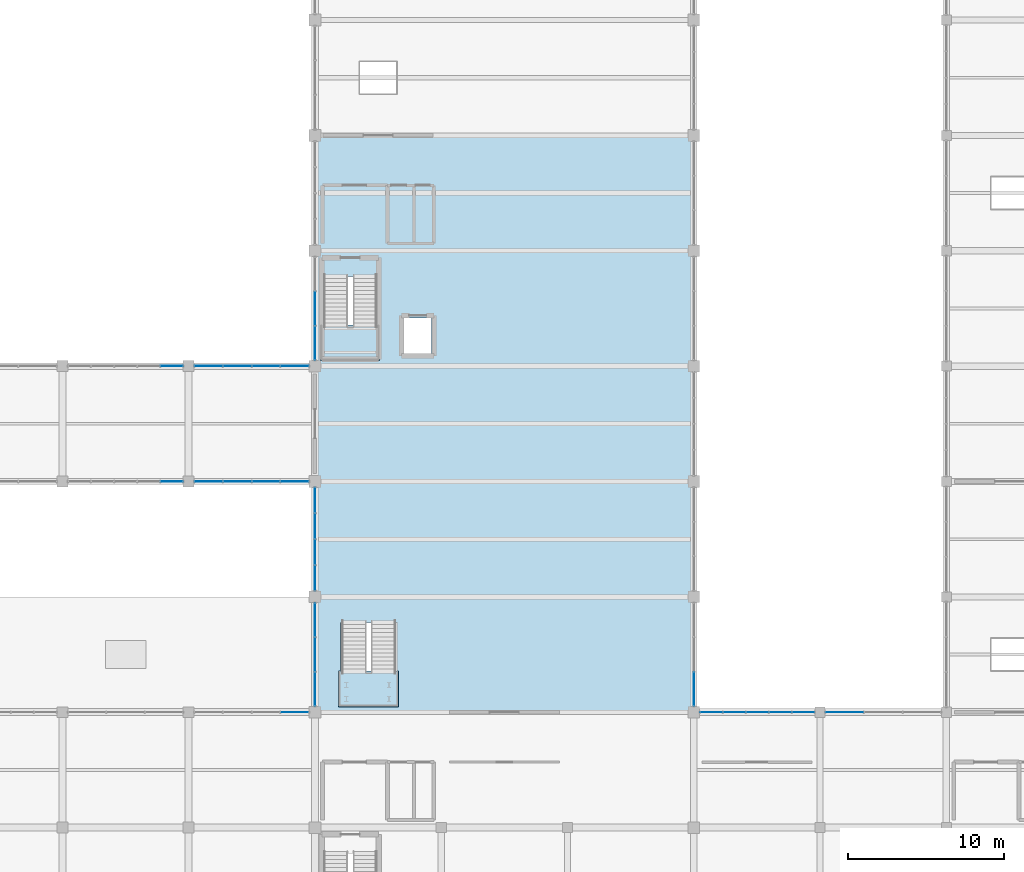
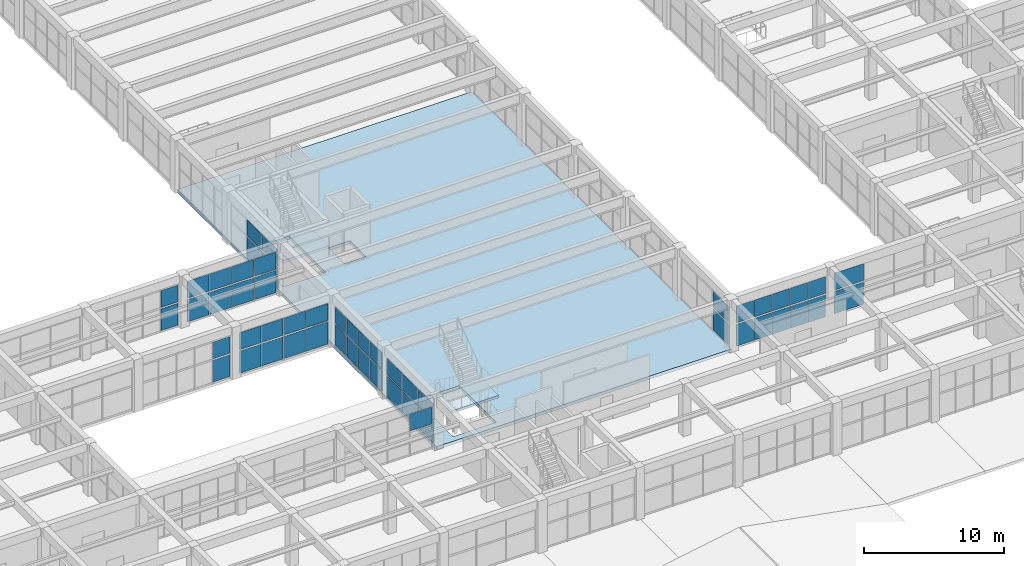
# One storey, part 134 of 161: 53 plates, 3 slabs, 13 elements without a shape of their own.
"""IFC4 building model written with IfcOpenShell, lengths in metres."""

import ifcopenshell
import ifcopenshell.guid

model = None  # the IFC model being written
_history = None  # IfcOwnerHistory: only IFC2X3 demands one
_inside = {}  # id of a spatial element -> (the spatial element, [elements in it])
_under = {}  # id of a project, library or spatial element -> (it, [spatial elements below it])
_declared = {}  # id of a project -> (the project, [libraries it declares])
_typed = {}  # id of a type object -> (the type object, [elements of that type])
_made_of = {}  # id of a material, layer set ... -> (it, [elements and type objects made of it])


def new_model(schema):
    """Start an empty IFC model of exactly this schema.

    Asked for "IFC4X3", IfcOpenShell would pick the latest addendum, in which some entities
    have other attributes; the version numbers below select the first issue.
    IFC2X3 requires an IfcOwnerHistory on every rooted entity: one is made here for all.
    """
    global model, _history
    if schema == "IFC4X3":
        model = ifcopenshell.file(schema_version=(4, 3, 0, 0))
    else:
        model = ifcopenshell.file(schema=schema)
    _inside.clear()
    _under.clear()
    _declared.clear()
    _typed.clear()
    _made_of.clear()
    _history = None
    if model.schema == "IFC2X3":
        org = make("IfcOrganization", Name="unknown")
        user = make(
            "IfcPersonAndOrganization",
            ThePerson=make("IfcPerson", FamilyName="unknown"),
            TheOrganization=org,
        )
        app = make(
            "IfcApplication",
            ApplicationDeveloper=org,
            Version="unknown",
            ApplicationFullName="unknown",
            ApplicationIdentifier="unknown",
        )
        _history = make(
            "IfcOwnerHistory",
            OwningUser=user,
            OwningApplication=app,
            ChangeAction="ADDED",
            CreationDate=0,
        )
    return model


def make(cls, **values):
    """One entity of the class cls with the attributes given. An attribute that is None is left unset."""
    return model.create_entity(
        cls, **{name: value for name, value in values.items() if value is not None}
    )


def rooted(cls, **values):
    """An entity with a GlobalId (a new one), such as an element, a storey or a relation."""
    return make(cls, GlobalId=ifcopenshell.guid.new(), OwnerHistory=_history, **values)


def si_unit(unit_type, name, prefix=None):
    """IfcSIUnit, for example si_unit("LENGTHUNIT", "METRE", prefix="MILLI")."""
    return make("IfcSIUnit", UnitType=unit_type, Prefix=prefix, Name=name)


def assignment(units):
    """IfcUnitAssignment: the units of a project."""
    return None if units is None else make("IfcUnitAssignment", Units=units)


def point(xyz):
    """IfcCartesianPoint."""
    return None if xyz is None else make("IfcCartesianPoint", Coordinates=xyz)


def direction(xyz):
    """IfcDirection."""
    return None if xyz is None else make("IfcDirection", DirectionRatios=xyz)


def frame(location, z_axis=None, x_axis=None):
    """IfcAxis2Placement3D, a coordinate frame: its origin and axes. An axis left out is left unset."""
    return make(
        "IfcAxis2Placement3D",
        Location=point(location),
        Axis=direction(z_axis),
        RefDirection=direction(x_axis),
    )


def frame_2d(location, x_axis=None):
    """IfcAxis2Placement2D, a coordinate frame in the plane: its origin and x axis."""
    return make(
        "IfcAxis2Placement2D", Location=point(location), RefDirection=direction(x_axis)
    )


def origin():
    """The frame at (0, 0, 0) with its axes left unset."""
    return frame((0.0, 0.0, 0.0))


def origin_2d():
    """The frame at (0, 0) in the plane with its x axis left unset."""
    return frame_2d((0.0, 0.0))


def place(relative_to, where):
    """IfcLocalPlacement: puts the frame where relative to a parent placement (None: the world)."""
    return make(
        "IfcLocalPlacement", PlacementRelTo=relative_to, RelativePlacement=where
    )


def context(
    kind, dimensions, precision=None, world=None, true_north=None, identifier=None
):
    """IfcGeometricRepresentationContext, for example the 3D "Model" context."""
    return make(
        "IfcGeometricRepresentationContext",
        ContextIdentifier=identifier,
        ContextType=kind,
        CoordinateSpaceDimension=dimensions,
        Precision=precision,
        WorldCoordinateSystem=world,
        TrueNorth=true_north,
    )


def subcontext(parent, identifier, kind, view, scale=None):
    """IfcGeometricRepresentationSubContext, for example "Body" below "Model"."""
    return make(
        "IfcGeometricRepresentationSubContext",
        ContextIdentifier=identifier,
        ContextType=kind,
        ParentContext=parent,
        TargetScale=scale,
        TargetView=view,
    )


def project(units=None, contexts=None):
    """IfcProject with its units and contexts."""
    return rooted(
        "IfcProject",
        Name="project",
        RepresentationContexts=contexts,
        UnitsInContext=assignment(units),
    )


def spatial(cls, under=None, at=None, **own):
    """A site, building, storey or space (cls), placed at a placement, below another one or the project."""
    s = rooted(cls, ObjectPlacement=at, **own)
    if under is not None:
        _under.setdefault(under.id(), (under, []))[1].append(s)
    return s


def polyline(points):
    """IfcPolyline through the points."""
    return make("IfcPolyline", Points=[point(p) for p in points])


def profile(cls, at=None, kind="AREA", **sizes):
    """A parametric profile (cls). Its sizes go by their IFC names, for example OverallWidth=200.0."""
    return make(cls, ProfileType=kind, Position=at, **sizes)


def rectangle(**sizes):
    """IfcRectangleProfileDef."""
    return profile("IfcRectangleProfileDef", **sizes)


def outline(outer, holes=None, kind="AREA"):
    """IfcArbitraryClosedProfileDef: a profile drawn as a closed curve; with holes, ...WithVoids."""
    if holes is None:
        return make("IfcArbitraryClosedProfileDef", ProfileType=kind, OuterCurve=outer)
    return make(
        "IfcArbitraryProfileDefWithVoids",
        ProfileType=kind,
        OuterCurve=outer,
        InnerCurves=holes,
    )


def extrude(swept, where, along, depth):
    """IfcExtrudedAreaSolid: the profile swept, set in the frame where, extruded along a direction by depth."""
    return make(
        "IfcExtrudedAreaSolid",
        SweptArea=swept,
        Position=where,
        ExtrudedDirection=direction(along),
        Depth=depth,
    )


def shape(context_of_items, identifier, shape_type, items):
    """IfcShapeRepresentation: the items that make up one representation, for example the "Body"."""
    return make(
        "IfcShapeRepresentation",
        ContextOfItems=context_of_items,
        RepresentationIdentifier=identifier,
        RepresentationType=shape_type,
        Items=items,
    )


def material(Name=None, Category=None):
    """IfcMaterial."""
    return make("IfcMaterial", Name=Name, Category=Category)


def layer(
    of_material, thickness, ventilated=None, Name=None, Category=None, Priority=None
):
    """IfcMaterialLayer: one layer of a wall or slab, of a material (None: an air gap)."""
    return make(
        "IfcMaterialLayer",
        Material=of_material,
        LayerThickness=thickness,
        IsVentilated=ventilated,
        Name=Name,
        Category=Category,
        Priority=Priority,
    )


def layer_set(layers, Name=None):
    """IfcMaterialLayerSet."""
    return make("IfcMaterialLayerSet", MaterialLayers=layers, LayerSetName=Name)


def made_of(thing, what):
    """Note that an element or type object is made of a material, layer set ...; save() writes the relation."""
    if what is not None:
        _made_of.setdefault(what.id(), (what, []))[1].append(thing)
    return thing


def type_object(cls, material=None, **own):
    """A type object (cls), such as IfcWallType, which elements share."""
    return made_of(rooted(cls, **own), material)


def element(
    cls,
    number,
    at=None,
    inside=None,
    cuts=None,
    type_object=None,
    material=None,
    context=None,
    identifier="Body",
    shape_type=None,
    held_by="IfcProductDefinitionShape",
    body=None,
    shapes=None,
    **own,
):
    """One element of the class cls, such as IfcWall. Its Tag is "e" and its number.

    at: its placement. inside: the storey or other place that contains it. cuts: it is an
    opening in that element (IfcRelVoidsElement). A single representation is given by context,
    identifier, shape_type and body (its items); several are given by shapes. held_by: the class
    of the entity that holds the representations. save() writes the other relations.
    """
    e = rooted(cls, Tag="e%d" % number, ObjectPlacement=at, **own)
    if body is not None:
        shapes = [shape(context, identifier, shape_type, body)]
    if shapes is not None:
        e.Representation = make(held_by, Representations=shapes)
    if inside is not None:
        _inside.setdefault(inside.id(), (inside, []))[1].append(e)
    if cuts is not None:
        rooted(
            "IfcRelVoidsElement", RelatingBuildingElement=cuts, RelatedOpeningElement=e
        )
    if type_object is not None:
        _typed.setdefault(type_object.id(), (type_object, []))[1].append(e)
    return made_of(e, material)


def aggregate(whole, parts):
    """IfcRelAggregates: a whole, such as a stair, and the parts it consists of."""
    return rooted("IfcRelAggregates", RelatingObject=whole, RelatedObjects=parts)


def save(model, path):
    """Write the relations noted so far, then the file.

    IfcRelAggregates (storeys below a building ...), IfcRelContainedInSpatialStructure (elements
    in a storey), IfcRelDefinesByType, IfcRelAssociatesMaterial and IfcRelDeclares: one each for
    every whole, place, type object, material and project.
    """
    for whole, parts in _under.values():
        aggregate(whole, parts)
    for where, things in _inside.values():
        rooted(
            "IfcRelContainedInSpatialStructure",
            RelatedElements=things,
            RelatingStructure=where,
        )
    for kind, things in _typed.values():
        rooted("IfcRelDefinesByType", RelatedObjects=things, RelatingType=kind)
    for what, things in _made_of.values():
        rooted("IfcRelAssociatesMaterial", RelatedObjects=things, RelatingMaterial=what)
    for by, libraries in _declared.values():
        rooted("IfcRelDeclares", RelatingContext=by, RelatedDefinitions=libraries)
    model.write(path)


model = new_model("IFC4")

# Units and contexts
model_context = context("Model", 3, precision=1e-05, world=origin(), true_north=direction((0.0, 1.0)))
body_context = subcontext(model_context, "Body", "Model", "MODEL_VIEW")
ifc_project = project(units=[si_unit("LENGTHUNIT", "METRE"), si_unit("AREAUNIT", "SQUARE_METRE"), si_unit("VOLUMEUNIT", "CUBIC_METRE"), si_unit("PLANEANGLEUNIT", "RADIAN"), si_unit("MASSUNIT", "GRAM", prefix="KILO")], contexts=[model_context])

# Site, building, storey
site_placement = place(None, origin())
site = spatial("IfcSite", under=ifc_project, at=site_placement, CompositionType="ELEMENT")
building_placement = place(site_placement, origin())
building = spatial("IfcBuilding", under=site, at=building_placement, Name="Cimatlan Art Gallery", CompositionType="ELEMENT")
storey_placement = place(building_placement, frame((0.0, 0.0, 5.39990234375)))
storey = spatial("IfcBuildingStorey", under=building, at=storey_placement, Name="L01", CompositionType="ELEMENT", Elevation=5.39990234375)

# Curtain wall, plate
ifc_material_1 = material(Name="Anodised bronze unitised curtain wall")
curtain_wall_type_1 = type_object("IfcCurtainWallType", Name="CW-V-07392X03735-B5", PredefinedType="NOTDEFINED", material=ifc_material_1)
curtain_wall_1_placement = place(storey_placement, origin())
curtain_wall_1 = element("IfcCurtainWall", 1, at=curtain_wall_1_placement, inside=storey, type_object=curtain_wall_type_1, Name="CW-L01-07-07-S", PredefinedType="NOTDEFINED")
ifc_material_2 = material(Name="Low-E insulated double glazing", Category="glass")
ifc_layer_1 = layer(ifc_material_2, 0.028076171875)
ifc_layer_set_1 = layer_set([ifc_layer_1], Name="Low-E insulated double glazing")
plate_type_1 = type_object("IfcPlateType", Name="PNL-1420X1459", PredefinedType="CURTAIN_PANEL", material=ifc_layer_set_1)
plate_1_placement = place(storey_placement, frame((65.706787109375, 53.5, 2.15380859375), z_axis=(0.0, 0.0, 1.0), x_axis=(-1.0, 0.0, 0.0)))
plate_1 = element("IfcPlate", 2, at=plate_1_placement, type_object=plate_type_1, Name="CW-L01-07-07-S-P12", PredefinedType="CURTAIN_PANEL", context=body_context, shape_type="SweptSolid", body=[
    extrude(rectangle(XDim=1.419921875, YDim=0.028076171875, at=origin_2d()), origin(), (0.0, 0.0, 1.0), 1.458984375),
])

curtain_wall_2_placement = place(storey_placement, origin())
curtain_wall_2 = element("IfcCurtainWall", 3, at=curtain_wall_2_placement, inside=storey, type_object=curtain_wall_type_1, Name="CW-L01-07-07-N", PredefinedType="NOTDEFINED")
plate_2_placement = place(storey_placement, frame((65.706787109375, 60.89990234375, 2.15380859375), z_axis=(0.0, 0.0, 1.0), x_axis=(1.0, 0.0, 0.0)))
plate_2 = element("IfcPlate", 4, at=plate_2_placement, type_object=plate_type_1, Name="CW-L01-07-07-N-P52", PredefinedType="CURTAIN_PANEL", context=body_context, shape_type="SweptSolid", body=[
    extrude(rectangle(XDim=1.419921875, YDim=0.028076171875, at=origin_2d()), origin(), (0.0, 0.0, 1.0), 1.458984375),
])

# Curtain wall, plates
curtain_wall_3_placement = place(storey_placement, origin())
curtain_wall_3 = element("IfcCurtainWall", 5, at=curtain_wall_3_placement, inside=storey, type_object=curtain_wall_type_1, Name="CW-L01-12-04-N", PredefinedType="NOTDEFINED")
plate_3_placement = place(storey_placement, frame((100.318115234375, 38.699951171875, 2.15380859375), z_axis=(0.0, 0.0, 1.0), x_axis=(1.0, 0.0, 0.0)))
plate_3 = element("IfcPlate", 6, at=plate_3_placement, type_object=plate_type_1, Name="CW-L01-12-04-N-P12", PredefinedType="CURTAIN_PANEL", context=body_context, shape_type="SweptSolid", body=[
    extrude(rectangle(XDim=1.419921875, YDim=0.028076171875, at=origin_2d()), origin(), (0.0, 0.0, 1.0), 1.458984375),
])
plate_4_placement = place(storey_placement, frame((101.796630859375, 38.699951171875, 2.15380859375), z_axis=(0.0, 0.0, 1.0), x_axis=(1.0, 0.0, 0.0)))
plate_4 = element("IfcPlate", 7, at=plate_4_placement, type_object=plate_type_1, Name="CW-L01-12-04-N-P22", PredefinedType="CURTAIN_PANEL", context=body_context, shape_type="SweptSolid", body=[
    extrude(rectangle(XDim=1.419921875, YDim=0.028076171875, at=origin_2d()), origin(), (0.0, 0.0, 1.0), 1.458984375),
])
plate_5_placement = place(storey_placement, frame((103.27490234375, 38.699951171875, 2.15380859375), z_axis=(0.0, 0.0, 1.0), x_axis=(1.0, 0.0, 0.0)))
plate_5 = element("IfcPlate", 8, at=plate_5_placement, type_object=plate_type_1, Name="CW-L01-12-04-N-P32", PredefinedType="CURTAIN_PANEL", context=body_context, shape_type="SweptSolid", body=[
    extrude(rectangle(XDim=1.419921875, YDim=0.028076171875, at=origin_2d()), origin(), (0.0, 0.0, 1.0), 1.458984375),
])
plate_6_placement = place(storey_placement, frame((104.75341796875, 38.699951171875, 2.15380859375), z_axis=(0.0, 0.0, 1.0), x_axis=(1.0, 0.0, 0.0)))
plate_6 = element("IfcPlate", 9, at=plate_6_placement, type_object=plate_type_1, Name="CW-L01-12-04-N-P42", PredefinedType="CURTAIN_PANEL", context=body_context, shape_type="SweptSolid", body=[
    extrude(rectangle(XDim=1.419921875, YDim=0.028076171875, at=origin_2d()), origin(), (0.0, 0.0, 1.0), 1.458984375),
])
plate_7_placement = place(storey_placement, frame((106.231689453125, 38.699951171875, 2.15380859375), z_axis=(0.0, 0.0, 1.0), x_axis=(1.0, 0.0, 0.0)))
plate_7 = element("IfcPlate", 10, at=plate_7_placement, type_object=plate_type_1, Name="CW-L01-12-04-N-P52", PredefinedType="CURTAIN_PANEL", context=body_context, shape_type="SweptSolid", body=[
    extrude(rectangle(XDim=1.419921875, YDim=0.028076171875, at=origin_2d()), origin(), (0.0, 0.0, 1.0), 1.458984375),
])

# Plate
ifc_layer_2 = layer(ifc_material_2, 0.028076171875)
ifc_layer_set_2 = layer_set([ifc_layer_2], Name="Low-E insulated double glazing")
plate_type_2 = type_object("IfcPlateType", Name="PNL-1420X1908", PredefinedType="CURTAIN_PANEL", material=ifc_layer_set_2)
plate_8_placement = place(storey_placement, frame((65.706787109375, 53.5, 0.1220703125), z_axis=(0.0, 0.0, 1.0), x_axis=(-1.0, 0.0, 0.0)))
plate_8 = element("IfcPlate", 11, at=plate_8_placement, type_object=plate_type_2, Name="CW-L01-07-07-S-P11", PredefinedType="CURTAIN_PANEL", context=body_context, shape_type="SweptSolid", body=[
    extrude(rectangle(XDim=1.419921875, YDim=0.028076171875, at=origin_2d()), origin(), (0.0, 0.0, 1.0), 1.907958984375),
])

aggregate(curtain_wall_1, [plate_8, plate_1])

plate_9_placement = place(storey_placement, frame((65.706787109375, 60.89990234375, 0.1220703125), z_axis=(0.0, 0.0, 1.0), x_axis=(1.0, 0.0, 0.0)))
plate_9 = element("IfcPlate", 12, at=plate_9_placement, type_object=plate_type_2, Name="CW-L01-07-07-N-P51", PredefinedType="CURTAIN_PANEL", context=body_context, shape_type="SweptSolid", body=[
    extrude(rectangle(XDim=1.419921875, YDim=0.028076171875, at=origin_2d()), origin(), (0.0, 0.0, 1.0), 1.907958984375),
])

aggregate(curtain_wall_2, [plate_9, plate_2])

plate_10_placement = place(storey_placement, frame((100.318115234375, 38.699951171875, 0.1220703125), z_axis=(0.0, 0.0, 1.0), x_axis=(1.0, 0.0, 0.0)))
plate_10 = element("IfcPlate", 13, at=plate_10_placement, type_object=plate_type_2, Name="CW-L01-12-04-N-P11", PredefinedType="CURTAIN_PANEL", context=body_context, shape_type="SweptSolid", body=[
    extrude(rectangle(XDim=1.419921875, YDim=0.028076171875, at=origin_2d()), origin(), (0.0, 0.0, 1.0), 1.907958984375),
])

plate_11_placement = place(storey_placement, frame((101.796630859375, 38.699951171875, 0.1220703125), z_axis=(0.0, 0.0, 1.0), x_axis=(1.0, 0.0, 0.0)))
plate_11 = element("IfcPlate", 14, at=plate_11_placement, type_object=plate_type_2, Name="CW-L01-12-04-N-P21", PredefinedType="CURTAIN_PANEL", context=body_context, shape_type="SweptSolid", body=[
    extrude(rectangle(XDim=1.419921875, YDim=0.028076171875, at=origin_2d()), origin(), (0.0, 0.0, 1.0), 1.907958984375),
])

plate_12_placement = place(storey_placement, frame((103.27490234375, 38.699951171875, 0.1220703125), z_axis=(0.0, 0.0, 1.0), x_axis=(1.0, 0.0, 0.0)))
plate_12 = element("IfcPlate", 15, at=plate_12_placement, type_object=plate_type_2, Name="CW-L01-12-04-N-P31", PredefinedType="CURTAIN_PANEL", context=body_context, shape_type="SweptSolid", body=[
    extrude(rectangle(XDim=1.419921875, YDim=0.028076171875, at=origin_2d()), origin(), (0.0, 0.0, 1.0), 1.907958984375),
])

plate_13_placement = place(storey_placement, frame((104.75341796875, 38.699951171875, 0.1220703125), z_axis=(0.0, 0.0, 1.0), x_axis=(1.0, 0.0, 0.0)))
plate_13 = element("IfcPlate", 16, at=plate_13_placement, type_object=plate_type_2, Name="CW-L01-12-04-N-P41", PredefinedType="CURTAIN_PANEL", context=body_context, shape_type="SweptSolid", body=[
    extrude(rectangle(XDim=1.419921875, YDim=0.028076171875, at=origin_2d()), origin(), (0.0, 0.0, 1.0), 1.907958984375),
])

plate_14_placement = place(storey_placement, frame((106.231689453125, 38.699951171875, 0.1220703125), z_axis=(0.0, 0.0, 1.0), x_axis=(1.0, 0.0, 0.0)))
plate_14 = element("IfcPlate", 17, at=plate_14_placement, type_object=plate_type_2, Name="CW-L01-12-04-N-P51", PredefinedType="CURTAIN_PANEL", context=body_context, shape_type="SweptSolid", body=[
    extrude(rectangle(XDim=1.419921875, YDim=0.028076171875, at=origin_2d()), origin(), (0.0, 0.0, 1.0), 1.907958984375),
])

aggregate(curtain_wall_3, [plate_10, plate_3, plate_11, plate_4, plate_12, plate_5, plate_13, plate_6, plate_14, plate_7])

# Curtain wall, plates
curtain_wall_type_2 = type_object("IfcCurtainWallType", Name="CW-V-06642X03577-B4", PredefinedType="NOTDEFINED", material=ifc_material_1)
curtain_wall_4_placement = place(storey_placement, origin())
curtain_wall_4 = element("IfcCurtainWall", 18, at=curtain_wall_4_placement, inside=storey, type_object=curtain_wall_type_2, Name="CW-L01-09-06-W", PredefinedType="NOTDEFINED")
ifc_layer_3 = layer(ifc_material_2, 0.028076171875)
ifc_layer_set_3 = layer_set([ifc_layer_3], Name="Low-E insulated double glazing")
plate_type_3 = type_object("IfcPlateType", Name="PNL-1603X1390", PredefinedType="CURTAIN_PANEL", material=ifc_layer_set_3)
plate_15_placement = place(storey_placement, frame((74.89990234375, 47.309326171875, 2.0654296875), z_axis=(0.0, 0.0, 1.0), x_axis=(0.0, 1.0, 0.0)))
plate_15 = element("IfcPlate", 19, at=plate_15_placement, type_object=plate_type_3, Name="CW-L01-09-06-W-P12", PredefinedType="CURTAIN_PANEL", context=body_context, shape_type="SweptSolid", body=[
    extrude(rectangle(XDim=1.60302734375, YDim=0.028076171875, at=origin_2d()), origin(), (0.0, 0.0, 1.0), 1.389892578125),
])
plate_16_placement = place(storey_placement, frame((74.89990234375, 48.9697265625, 2.0654296875), z_axis=(0.0, 0.0, 1.0), x_axis=(0.0, 1.0, 0.0)))
plate_16 = element("IfcPlate", 20, at=plate_16_placement, type_object=plate_type_3, Name="CW-L01-09-06-W-P22", PredefinedType="CURTAIN_PANEL", context=body_context, shape_type="SweptSolid", body=[
    extrude(rectangle(XDim=1.60302734375, YDim=0.028076171875, at=origin_2d()), origin(), (0.0, 0.0, 1.0), 1.389892578125),
])
plate_17_placement = place(storey_placement, frame((74.89990234375, 50.63037109375, 2.0654296875), z_axis=(0.0, 0.0, 1.0), x_axis=(0.0, 1.0, 0.0)))
plate_17 = element("IfcPlate", 21, at=plate_17_placement, type_object=plate_type_3, Name="CW-L01-09-06-W-P32", PredefinedType="CURTAIN_PANEL", context=body_context, shape_type="SweptSolid", body=[
    extrude(rectangle(XDim=1.60302734375, YDim=0.028076171875, at=origin_2d()), origin(), (0.0, 0.0, 1.0), 1.389892578125),
])
plate_18_placement = place(storey_placement, frame((74.89990234375, 52.290771484375, 2.0654296875), z_axis=(0.0, 0.0, 1.0), x_axis=(0.0, 1.0, 0.0)))
plate_18 = element("IfcPlate", 22, at=plate_18_placement, type_object=plate_type_3, Name="CW-L01-09-06-W-P42", PredefinedType="CURTAIN_PANEL", context=body_context, shape_type="SweptSolid", body=[
    extrude(rectangle(XDim=1.60302734375, YDim=0.028076171875, at=origin_2d()), origin(), (0.0, 0.0, 1.0), 1.389892578125),
])
ifc_layer_4 = layer(ifc_material_2, 0.028076171875)
ifc_layer_set_4 = layer_set([ifc_layer_4], Name="Low-E insulated double glazing")
plate_type_4 = type_object("IfcPlateType", Name="PNL-1603X1819", PredefinedType="CURTAIN_PANEL", material=ifc_layer_set_4)
plate_19_placement = place(storey_placement, frame((74.89990234375, 47.309326171875, 0.1220703125), z_axis=(0.0, 0.0, 1.0), x_axis=(0.0, 1.0, 0.0)))
plate_19 = element("IfcPlate", 23, at=plate_19_placement, type_object=plate_type_4, Name="CW-L01-09-06-W-P11", PredefinedType="CURTAIN_PANEL", context=body_context, shape_type="SweptSolid", body=[
    extrude(rectangle(XDim=1.60302734375, YDim=0.028076171875, at=origin_2d()), origin(), (0.0, 0.0, 1.0), 1.819091796875),
])
plate_20_placement = place(storey_placement, frame((74.89990234375, 48.9697265625, 0.1220703125), z_axis=(0.0, 0.0, 1.0), x_axis=(0.0, 1.0, 0.0)))
plate_20 = element("IfcPlate", 24, at=plate_20_placement, type_object=plate_type_4, Name="CW-L01-09-06-W-P21", PredefinedType="CURTAIN_PANEL", context=body_context, shape_type="SweptSolid", body=[
    extrude(rectangle(XDim=1.60302734375, YDim=0.028076171875, at=origin_2d()), origin(), (0.0, 0.0, 1.0), 1.819091796875),
])
plate_21_placement = place(storey_placement, frame((74.89990234375, 50.63037109375, 0.1220703125), z_axis=(0.0, 0.0, 1.0), x_axis=(0.0, 1.0, 0.0)))
plate_21 = element("IfcPlate", 25, at=plate_21_placement, type_object=plate_type_4, Name="CW-L01-09-06-W-P31", PredefinedType="CURTAIN_PANEL", context=body_context, shape_type="SweptSolid", body=[
    extrude(rectangle(XDim=1.60302734375, YDim=0.028076171875, at=origin_2d()), origin(), (0.0, 0.0, 1.0), 1.819091796875),
])
plate_22_placement = place(storey_placement, frame((74.89990234375, 52.290771484375, 0.1220703125), z_axis=(0.0, 0.0, 1.0), x_axis=(0.0, 1.0, 0.0)))
plate_22 = element("IfcPlate", 26, at=plate_22_placement, type_object=plate_type_4, Name="CW-L01-09-06-W-P41", PredefinedType="CURTAIN_PANEL", context=body_context, shape_type="SweptSolid", body=[
    extrude(rectangle(XDim=1.60302734375, YDim=0.028076171875, at=origin_2d()), origin(), (0.0, 0.0, 1.0), 1.819091796875),
])
aggregate(curtain_wall_4, [plate_19, plate_15, plate_20, plate_16, plate_21, plate_17, plate_22, plate_18])

# Curtain wall, plate
curtain_wall_type_3 = type_object("IfcCurtainWallType", Name="CW-V-07367X03735-B4", PredefinedType="NOTDEFINED", material=ifc_material_1)
curtain_wall_5_placement = place(storey_placement, origin())
curtain_wall_5 = element("IfcCurtainWall", 27, at=curtain_wall_5_placement, inside=storey, type_object=curtain_wall_type_3, Name="CW-L01-08-04-N", PredefinedType="NOTDEFINED")
ifc_layer_5 = layer(ifc_material_2, 0.028076171875)
ifc_layer_set_5 = layer_set([ifc_layer_5], Name="Low-E insulated double glazing")
plate_type_5 = type_object("IfcPlateType", Name="PNL-1784X1459", PredefinedType="CURTAIN_PANEL", material=ifc_layer_set_5)
plate_23_placement = place(storey_placement, frame((73.60009765625, 38.699951171875, 2.15380859375), z_axis=(0.0, 0.0, 1.0), x_axis=(1.0, 0.0, 0.0)))
plate_23 = element("IfcPlate", 28, at=plate_23_placement, type_object=plate_type_5, Name="CW-L01-08-04-N-P42", PredefinedType="CURTAIN_PANEL", context=body_context, shape_type="SweptSolid", body=[
    extrude(rectangle(XDim=1.783935546875, YDim=0.028076171875, at=origin_2d()), origin(), (0.0, 0.0, 1.0), 1.458984375),
])
aggregate(curtain_wall_5, [plate_23])

# Curtain wall, plates
curtain_wall_type_4 = type_object("IfcCurtainWallType", Name="CW-V-07367X03780-B4", PredefinedType="NOTDEFINED", material=ifc_material_1)
curtain_wall_6_placement = place(storey_placement, origin())
curtain_wall_6 = element("IfcCurtainWall", 29, at=curtain_wall_6_placement, inside=storey, type_object=curtain_wall_type_4, Name="CW-L01-08-07-S", PredefinedType="NOTDEFINED")
ifc_layer_6 = layer(ifc_material_2, 0.028076171875)
ifc_layer_set_6 = layer_set([ifc_layer_6], Name="Low-E insulated double glazing")
plate_type_6 = type_object("IfcPlateType", Name="PNL-1784X1479", PredefinedType="CURTAIN_PANEL", material=ifc_layer_set_6)
plate_24_placement = place(storey_placement, frame((73.60009765625, 53.5, 2.178955078125), z_axis=(0.0, 0.0, 1.0), x_axis=(-1.0, 0.0, 0.0)))
plate_24 = element("IfcPlate", 30, at=plate_24_placement, type_object=plate_type_6, Name="CW-L01-08-07-S-P12", PredefinedType="CURTAIN_PANEL", context=body_context, shape_type="SweptSolid", body=[
    extrude(rectangle(XDim=1.783935546875, YDim=0.028076171875, at=origin_2d()), origin(), (0.0, 0.0, 1.0), 1.47900390625),
])
plate_25_placement = place(storey_placement, frame((71.75830078125, 53.5, 2.178955078125), z_axis=(0.0, 0.0, 1.0), x_axis=(-1.0, 0.0, 0.0)))
plate_25 = element("IfcPlate", 31, at=plate_25_placement, type_object=plate_type_6, Name="CW-L01-08-07-S-P22", PredefinedType="CURTAIN_PANEL", context=body_context, shape_type="SweptSolid", body=[
    extrude(rectangle(XDim=1.783935546875, YDim=0.028076171875, at=origin_2d()), origin(), (0.0, 0.0, 1.0), 1.47900390625),
])
plate_26_placement = place(storey_placement, frame((69.91650390625, 53.5, 2.178955078125), z_axis=(0.0, 0.0, 1.0), x_axis=(-1.0, 0.0, 0.0)))
plate_26 = element("IfcPlate", 32, at=plate_26_placement, type_object=plate_type_6, Name="CW-L01-08-07-S-P32", PredefinedType="CURTAIN_PANEL", context=body_context, shape_type="SweptSolid", body=[
    extrude(rectangle(XDim=1.783935546875, YDim=0.028076171875, at=origin_2d()), origin(), (0.0, 0.0, 1.0), 1.47900390625),
])
plate_27_placement = place(storey_placement, frame((68.074951171875, 53.5, 2.178955078125), z_axis=(0.0, 0.0, 1.0), x_axis=(-1.0, 0.0, 0.0)))
plate_27 = element("IfcPlate", 33, at=plate_27_placement, type_object=plate_type_6, Name="CW-L01-08-07-S-P42", PredefinedType="CURTAIN_PANEL", context=body_context, shape_type="SweptSolid", body=[
    extrude(rectangle(XDim=1.783935546875, YDim=0.028076171875, at=origin_2d()), origin(), (0.0, 0.0, 1.0), 1.47900390625),
])

curtain_wall_7_placement = place(storey_placement, origin())
curtain_wall_7 = element("IfcCurtainWall", 34, at=curtain_wall_7_placement, inside=storey, type_object=curtain_wall_type_4, Name="CW-L01-08-07-N", PredefinedType="NOTDEFINED")
plate_28_placement = place(storey_placement, frame((68.074951171875, 60.89990234375, 2.178955078125), z_axis=(0.0, 0.0, 1.0), x_axis=(1.0, 0.0, 0.0)))
plate_28 = element("IfcPlate", 35, at=plate_28_placement, type_object=plate_type_6, Name="CW-L01-08-07-N-P12", PredefinedType="CURTAIN_PANEL", context=body_context, shape_type="SweptSolid", body=[
    extrude(rectangle(XDim=1.783935546875, YDim=0.028076171875, at=origin_2d()), origin(), (0.0, 0.0, 1.0), 1.47900390625),
])
plate_29_placement = place(storey_placement, frame((69.91650390625, 60.89990234375, 2.178955078125), z_axis=(0.0, 0.0, 1.0), x_axis=(1.0, 0.0, 0.0)))
plate_29 = element("IfcPlate", 36, at=plate_29_placement, type_object=plate_type_6, Name="CW-L01-08-07-N-P22", PredefinedType="CURTAIN_PANEL", context=body_context, shape_type="SweptSolid", body=[
    extrude(rectangle(XDim=1.783935546875, YDim=0.028076171875, at=origin_2d()), origin(), (0.0, 0.0, 1.0), 1.47900390625),
])
plate_30_placement = place(storey_placement, frame((71.75830078125, 60.89990234375, 2.178955078125), z_axis=(0.0, 0.0, 1.0), x_axis=(1.0, 0.0, 0.0)))
plate_30 = element("IfcPlate", 37, at=plate_30_placement, type_object=plate_type_6, Name="CW-L01-08-07-N-P32", PredefinedType="CURTAIN_PANEL", context=body_context, shape_type="SweptSolid", body=[
    extrude(rectangle(XDim=1.783935546875, YDim=0.028076171875, at=origin_2d()), origin(), (0.0, 0.0, 1.0), 1.47900390625),
])
plate_31_placement = place(storey_placement, frame((73.60009765625, 60.89990234375, 2.178955078125), z_axis=(0.0, 0.0, 1.0), x_axis=(1.0, 0.0, 0.0)))
plate_31 = element("IfcPlate", 38, at=plate_31_placement, type_object=plate_type_6, Name="CW-L01-08-07-N-P42", PredefinedType="CURTAIN_PANEL", context=body_context, shape_type="SweptSolid", body=[
    extrude(rectangle(XDim=1.783935546875, YDim=0.028076171875, at=origin_2d()), origin(), (0.0, 0.0, 1.0), 1.47900390625),
])

# Plate
ifc_layer_7 = layer(ifc_material_2, 0.028076171875)
ifc_layer_set_7 = layer_set([ifc_layer_7], Name="Low-E insulated double glazing")
plate_type_7 = type_object("IfcPlateType", Name="PNL-1784X1933", PredefinedType="CURTAIN_PANEL", material=ifc_layer_set_7)
plate_32_placement = place(storey_placement, frame((73.60009765625, 53.5, 0.121826171875), z_axis=(0.0, 0.0, 1.0), x_axis=(-1.0, 0.0, 0.0)))
plate_32 = element("IfcPlate", 39, at=plate_32_placement, type_object=plate_type_7, Name="CW-L01-08-07-S-P11", PredefinedType="CURTAIN_PANEL", context=body_context, shape_type="SweptSolid", body=[
    extrude(rectangle(XDim=1.783935546875, YDim=0.028076171875, at=origin_2d()), origin(), (0.0, 0.0, 1.0), 1.93310546875),
])

plate_33_placement = place(storey_placement, frame((71.75830078125, 53.5, 0.121826171875), z_axis=(0.0, 0.0, 1.0), x_axis=(-1.0, 0.0, 0.0)))
plate_33 = element("IfcPlate", 40, at=plate_33_placement, type_object=plate_type_7, Name="CW-L01-08-07-S-P21", PredefinedType="CURTAIN_PANEL", context=body_context, shape_type="SweptSolid", body=[
    extrude(rectangle(XDim=1.783935546875, YDim=0.028076171875, at=origin_2d()), origin(), (0.0, 0.0, 1.0), 1.93310546875),
])

plate_34_placement = place(storey_placement, frame((69.91650390625, 53.5, 0.121826171875), z_axis=(0.0, 0.0, 1.0), x_axis=(-1.0, 0.0, 0.0)))
plate_34 = element("IfcPlate", 41, at=plate_34_placement, type_object=plate_type_7, Name="CW-L01-08-07-S-P31", PredefinedType="CURTAIN_PANEL", context=body_context, shape_type="SweptSolid", body=[
    extrude(rectangle(XDim=1.783935546875, YDim=0.028076171875, at=origin_2d()), origin(), (0.0, 0.0, 1.0), 1.93310546875),
])

plate_35_placement = place(storey_placement, frame((68.074951171875, 53.5, 0.121826171875), z_axis=(0.0, 0.0, 1.0), x_axis=(-1.0, 0.0, 0.0)))
plate_35 = element("IfcPlate", 42, at=plate_35_placement, type_object=plate_type_7, Name="CW-L01-08-07-S-P41", PredefinedType="CURTAIN_PANEL", context=body_context, shape_type="SweptSolid", body=[
    extrude(rectangle(XDim=1.783935546875, YDim=0.028076171875, at=origin_2d()), origin(), (0.0, 0.0, 1.0), 1.93310546875),
])

aggregate(curtain_wall_6, [plate_32, plate_24, plate_33, plate_25, plate_34, plate_26, plate_35, plate_27])

plate_36_placement = place(storey_placement, frame((68.074951171875, 60.89990234375, 0.121826171875), z_axis=(0.0, 0.0, 1.0), x_axis=(1.0, 0.0, 0.0)))
plate_36 = element("IfcPlate", 43, at=plate_36_placement, type_object=plate_type_7, Name="CW-L01-08-07-N-P11", PredefinedType="CURTAIN_PANEL", context=body_context, shape_type="SweptSolid", body=[
    extrude(rectangle(XDim=1.783935546875, YDim=0.028076171875, at=origin_2d()), origin(), (0.0, 0.0, 1.0), 1.93310546875),
])

plate_37_placement = place(storey_placement, frame((69.91650390625, 60.89990234375, 0.121826171875), z_axis=(0.0, 0.0, 1.0), x_axis=(1.0, 0.0, 0.0)))
plate_37 = element("IfcPlate", 44, at=plate_37_placement, type_object=plate_type_7, Name="CW-L01-08-07-N-P21", PredefinedType="CURTAIN_PANEL", context=body_context, shape_type="SweptSolid", body=[
    extrude(rectangle(XDim=1.783935546875, YDim=0.028076171875, at=origin_2d()), origin(), (0.0, 0.0, 1.0), 1.93310546875),
])

plate_38_placement = place(storey_placement, frame((71.75830078125, 60.89990234375, 0.121826171875), z_axis=(0.0, 0.0, 1.0), x_axis=(1.0, 0.0, 0.0)))
plate_38 = element("IfcPlate", 45, at=plate_38_placement, type_object=plate_type_7, Name="CW-L01-08-07-N-P31", PredefinedType="CURTAIN_PANEL", context=body_context, shape_type="SweptSolid", body=[
    extrude(rectangle(XDim=1.783935546875, YDim=0.028076171875, at=origin_2d()), origin(), (0.0, 0.0, 1.0), 1.93310546875),
])

plate_39_placement = place(storey_placement, frame((73.60009765625, 60.89990234375, 0.121826171875), z_axis=(0.0, 0.0, 1.0), x_axis=(1.0, 0.0, 0.0)))
plate_39 = element("IfcPlate", 46, at=plate_39_placement, type_object=plate_type_7, Name="CW-L01-08-07-N-P41", PredefinedType="CURTAIN_PANEL", context=body_context, shape_type="SweptSolid", body=[
    extrude(rectangle(XDim=1.783935546875, YDim=0.028076171875, at=origin_2d()), origin(), (0.0, 0.0, 1.0), 1.93310546875),
])

aggregate(curtain_wall_7, [plate_36, plate_28, plate_37, plate_29, plate_38, plate_30, plate_39, plate_31])

# Curtain wall, plates
curtain_wall_type_5 = type_object("IfcCurtainWallType", Name="CW-V-06642X03547-B3", PredefinedType="NOTDEFINED", material=ifc_material_1)
curtain_wall_8_placement = place(storey_placement, origin())
curtain_wall_8 = element("IfcCurtainWall", 47, at=curtain_wall_8_placement, inside=storey, type_object=curtain_wall_type_5, Name="CW-L01-09-08-W", PredefinedType="NOTDEFINED")
ifc_layer_8 = layer(ifc_material_2, 0.028076171875)
ifc_layer_set_8 = layer_set([ifc_layer_8], Name="Low-E insulated double glazing")
plate_type_8 = type_object("IfcPlateType", Name="PNL-2156X1377", PredefinedType="CURTAIN_PANEL", material=ifc_layer_set_8)
plate_40_placement = place(storey_placement, frame((74.89990234375, 62.385986328125, 2.04833984375), z_axis=(0.0, 0.0, 1.0), x_axis=(0.0, 1.0, 0.0)))
plate_40 = element("IfcPlate", 48, at=plate_40_placement, type_object=plate_type_8, Name="CW-L01-09-08-W-P12", PredefinedType="CURTAIN_PANEL", context=body_context, shape_type="SweptSolid", body=[
    extrude(rectangle(XDim=2.156005859375, YDim=0.028076171875, at=origin_2d()), origin(), (0.0, 0.0, 1.0), 1.376953125),
])
plate_41_placement = place(storey_placement, frame((74.89990234375, 64.60009765625, 2.04833984375), z_axis=(0.0, 0.0, 1.0), x_axis=(0.0, 1.0, 0.0)))
plate_41 = element("IfcPlate", 49, at=plate_41_placement, type_object=plate_type_8, Name="CW-L01-09-08-W-P22", PredefinedType="CURTAIN_PANEL", context=body_context, shape_type="SweptSolid", body=[
    extrude(rectangle(XDim=2.156005859375, YDim=0.028076171875, at=origin_2d()), origin(), (0.0, 0.0, 1.0), 1.376953125),
])

curtain_wall_type_6 = type_object("IfcCurtainWallType", Name="CW-V-06642X03592-B3", PredefinedType="NOTDEFINED", material=ifc_material_1)
curtain_wall_9_placement = place(storey_placement, origin())
curtain_wall_9 = element("IfcCurtainWall", 50, at=curtain_wall_9_placement, inside=storey, type_object=curtain_wall_type_6, Name="CW-L01-09-05-W", PredefinedType="NOTDEFINED")
ifc_layer_9 = layer(ifc_material_2, 0.028076171875)
ifc_layer_set_9 = layer_set([ifc_layer_9], Name="Low-E insulated double glazing")
plate_type_9 = type_object("IfcPlateType", Name="PNL-2156X1397", PredefinedType="CURTAIN_PANEL", material=ifc_layer_set_9)
plate_42_placement = place(storey_placement, frame((74.89990234375, 40.18603515625, 2.0732421875), z_axis=(0.0, 0.0, 1.0), x_axis=(0.0, 1.0, 0.0)))
plate_42 = element("IfcPlate", 51, at=plate_42_placement, type_object=plate_type_9, Name="CW-L01-09-05-W-P12", PredefinedType="CURTAIN_PANEL", context=body_context, shape_type="SweptSolid", body=[
    extrude(rectangle(XDim=2.156005859375, YDim=0.028076171875, at=origin_2d()), origin(), (0.0, 0.0, 1.0), 1.39697265625),
])
plate_43_placement = place(storey_placement, frame((74.89990234375, 42.39990234375, 2.0732421875), z_axis=(0.0, 0.0, 1.0), x_axis=(0.0, 1.0, 0.0)))
plate_43 = element("IfcPlate", 52, at=plate_43_placement, type_object=plate_type_9, Name="CW-L01-09-05-W-P22", PredefinedType="CURTAIN_PANEL", context=body_context, shape_type="SweptSolid", body=[
    extrude(rectangle(XDim=2.156005859375, YDim=0.028076171875, at=origin_2d()), origin(), (0.0, 0.0, 1.0), 1.39697265625),
])
plate_44_placement = place(storey_placement, frame((74.89990234375, 44.614013671875, 2.0732421875), z_axis=(0.0, 0.0, 1.0), x_axis=(0.0, 1.0, 0.0)))
plate_44 = element("IfcPlate", 53, at=plate_44_placement, type_object=plate_type_9, Name="CW-L01-09-05-W-P32", PredefinedType="CURTAIN_PANEL", context=body_context, shape_type="SweptSolid", body=[
    extrude(rectangle(XDim=2.156005859375, YDim=0.028076171875, at=origin_2d()), origin(), (0.0, 0.0, 1.0), 1.39697265625),
])

# Curtain wall, plate
curtain_wall_10_placement = place(storey_placement, origin())
curtain_wall_10 = element("IfcCurtainWall", 54, at=curtain_wall_10_placement, inside=storey, type_object=curtain_wall_type_6, Name="CW-L01-11-05-E", PredefinedType="NOTDEFINED")
plate_45_placement = place(storey_placement, frame((99.199951171875, 40.18603515625, 2.0732421875), z_axis=(0.0, 0.0, 1.0), x_axis=(0.0, -1.0, 0.0)))
plate_45 = element("IfcPlate", 55, at=plate_45_placement, type_object=plate_type_9, Name="CW-L01-11-05-E-P32", PredefinedType="CURTAIN_PANEL", context=body_context, shape_type="SweptSolid", body=[
    extrude(rectangle(XDim=2.156005859375, YDim=0.028076171875, at=origin_2d()), origin(), (0.0, 0.0, 1.0), 1.39697265625),
])

# Plate
ifc_layer_10 = layer(ifc_material_2, 0.028076171875)
ifc_layer_set_10 = layer_set([ifc_layer_10], Name="Low-E insulated double glazing")
plate_type_10 = type_object("IfcPlateType", Name="PNL-2156X1802", PredefinedType="CURTAIN_PANEL", material=ifc_layer_set_10)
plate_46_placement = place(storey_placement, frame((74.89990234375, 62.385986328125, 0.1220703125), z_axis=(0.0, 0.0, 1.0), x_axis=(0.0, 1.0, 0.0)))
plate_46 = element("IfcPlate", 56, at=plate_46_placement, type_object=plate_type_10, Name="CW-L01-09-08-W-P11", PredefinedType="CURTAIN_PANEL", context=body_context, shape_type="SweptSolid", body=[
    extrude(rectangle(XDim=2.156005859375, YDim=0.028076171875, at=origin_2d()), origin(), (0.0, 0.0, 1.0), 1.802001953125),
])

plate_47_placement = place(storey_placement, frame((74.89990234375, 64.60009765625, 0.1220703125), z_axis=(0.0, 0.0, 1.0), x_axis=(0.0, 1.0, 0.0)))
plate_47 = element("IfcPlate", 57, at=plate_47_placement, type_object=plate_type_10, Name="CW-L01-09-08-W-P21", PredefinedType="CURTAIN_PANEL", context=body_context, shape_type="SweptSolid", body=[
    extrude(rectangle(XDim=2.156005859375, YDim=0.028076171875, at=origin_2d()), origin(), (0.0, 0.0, 1.0), 1.802001953125),
])

aggregate(curtain_wall_8, [plate_46, plate_40, plate_47, plate_41])

ifc_layer_11 = layer(ifc_material_2, 0.028076171875)
ifc_layer_set_11 = layer_set([ifc_layer_11], Name="Low-E insulated double glazing")
plate_type_11 = type_object("IfcPlateType", Name="PNL-2156X1827", PredefinedType="CURTAIN_PANEL", material=ifc_layer_set_11)
plate_48_placement = place(storey_placement, frame((74.89990234375, 40.18603515625, 0.12255859375), z_axis=(0.0, 0.0, 1.0), x_axis=(0.0, 1.0, 0.0)))
plate_48 = element("IfcPlate", 58, at=plate_48_placement, type_object=plate_type_11, Name="CW-L01-09-05-W-P11", PredefinedType="CURTAIN_PANEL", context=body_context, shape_type="SweptSolid", body=[
    extrude(rectangle(XDim=2.156005859375, YDim=0.028076171875, at=origin_2d()), origin(), (0.0, 0.0, 1.0), 1.826904296875),
])

plate_49_placement = place(storey_placement, frame((74.89990234375, 42.39990234375, 0.12255859375), z_axis=(0.0, 0.0, 1.0), x_axis=(0.0, 1.0, 0.0)))
plate_49 = element("IfcPlate", 59, at=plate_49_placement, type_object=plate_type_11, Name="CW-L01-09-05-W-P21", PredefinedType="CURTAIN_PANEL", context=body_context, shape_type="SweptSolid", body=[
    extrude(rectangle(XDim=2.156005859375, YDim=0.028076171875, at=origin_2d()), origin(), (0.0, 0.0, 1.0), 1.826904296875),
])

plate_50_placement = place(storey_placement, frame((74.89990234375, 44.614013671875, 0.12255859375), z_axis=(0.0, 0.0, 1.0), x_axis=(0.0, 1.0, 0.0)))
plate_50 = element("IfcPlate", 60, at=plate_50_placement, type_object=plate_type_11, Name="CW-L01-09-05-W-P31", PredefinedType="CURTAIN_PANEL", context=body_context, shape_type="SweptSolid", body=[
    extrude(rectangle(XDim=2.156005859375, YDim=0.028076171875, at=origin_2d()), origin(), (0.0, 0.0, 1.0), 1.826904296875),
])

aggregate(curtain_wall_9, [plate_48, plate_42, plate_49, plate_43, plate_50, plate_44])

plate_51_placement = place(storey_placement, frame((99.199951171875, 40.18603515625, 0.12255859375), z_axis=(0.0, 0.0, 1.0), x_axis=(0.0, -1.0, 0.0)))
plate_51 = element("IfcPlate", 61, at=plate_51_placement, type_object=plate_type_11, Name="CW-L01-11-05-E-P31", PredefinedType="CURTAIN_PANEL", context=body_context, shape_type="SweptSolid", body=[
    extrude(rectangle(XDim=2.156005859375, YDim=0.028076171875, at=origin_2d()), origin(), (0.0, 0.0, 1.0), 1.826904296875),
])

aggregate(curtain_wall_10, [plate_51, plate_45])

# Curtain wall, plates
curtain_wall_type_7 = type_object("IfcCurtainWallType", Name="CW-V-07442X03780-B3", PredefinedType="NOTDEFINED", material=ifc_material_1)
curtain_wall_11_placement = place(storey_placement, origin())
curtain_wall_11 = element("IfcCurtainWall", 62, at=curtain_wall_11_placement, inside=storey, type_object=curtain_wall_type_7, Name="CW-L01-13-04-N", PredefinedType="NOTDEFINED")
ifc_layer_12 = layer(ifc_material_2, 0.028076171875)
ifc_layer_set_12 = layer_set([ifc_layer_12], Name="Low-E insulated double glazing")
plate_type_12 = type_object("IfcPlateType", Name="PNL-2423X1479", PredefinedType="CURTAIN_PANEL", material=ifc_layer_set_12)
plate_52_placement = place(storey_placement, frame((108.869384765625, 38.699951171875, 2.178955078125), z_axis=(0.0, 0.0, 1.0), x_axis=(1.0, 0.0, 0.0)))
plate_52 = element("IfcPlate", 63, at=plate_52_placement, type_object=plate_type_12, Name="CW-L01-13-04-N-P12", PredefinedType="CURTAIN_PANEL", context=body_context, shape_type="SweptSolid", body=[
    extrude(rectangle(XDim=2.423095703125, YDim=0.028076171875, at=origin_2d()), origin(), (0.0, 0.0, 1.0), 1.47900390625),
])
ifc_layer_13 = layer(ifc_material_2, 0.028076171875)
ifc_layer_set_13 = layer_set([ifc_layer_13], Name="Low-E insulated double glazing")
plate_type_13 = type_object("IfcPlateType", Name="PNL-2423X1933", PredefinedType="CURTAIN_PANEL", material=ifc_layer_set_13)
plate_53_placement = place(storey_placement, frame((108.869384765625, 38.699951171875, 0.121826171875), z_axis=(0.0, 0.0, 1.0), x_axis=(1.0, 0.0, 0.0)))
plate_53 = element("IfcPlate", 64, at=plate_53_placement, type_object=plate_type_13, Name="CW-L01-13-04-N-P11", PredefinedType="CURTAIN_PANEL", context=body_context, shape_type="SweptSolid", body=[
    extrude(rectangle(XDim=2.423095703125, YDim=0.028076171875, at=origin_2d()), origin(), (0.0, 0.0, 1.0), 1.93310546875),
])
aggregate(curtain_wall_11, [plate_53, plate_52])

# Slab
ifc_material_3 = material(Name="Concrete C35/45", Category="concrete")
ifc_layer_14 = layer(ifc_material_3, 0.264892578125)
ifc_layer_set_14 = layer_set([ifc_layer_14], Name="Concrete C35/45")
slab_type_1 = type_object("IfcSlabType", Name="SLB-FLR-L01", PredefinedType="FLOOR", material=ifc_layer_set_14)
slab_1_placement = place(storey_placement, frame((0.0, 0.0, -0.264892578125)))
element("IfcSlab", 65, at=slab_1_placement, inside=storey, type_object=slab_type_1, Name="SLB-L01-B3S", PredefinedType="FLOOR", context=body_context, shape_type="SweptSolid", body=[
    extrude(outline(polyline([(74.89990234375, 38.699951171875), (99.199951171875, 38.699951171875), (99.199951171875, 75.699951171875), (74.89990234375, 75.699951171875), (74.89990234375, 38.699951171875)]), holes=[polyline([(75.39990234375, 61.419921875), (78.919921875, 61.419921875), (78.919921875, 66.64990234375), (75.39990234375, 66.64990234375), (75.39990234375, 61.419921875)]), polyline([(80.610107421875, 61.7099609375), (82.389892578125, 61.7099609375), (82.389892578125, 63.989990234375), (80.610107421875, 63.989990234375), (80.610107421875, 61.7099609375)]), polyline([(76.570068359375, 39.219970703125), (80.1298828125, 39.219970703125), (80.1298828125, 44.449951171875), (76.570068359375, 44.449951171875), (76.570068359375, 39.219970703125)])]), origin(), (0.0, 0.0, 1.0), 0.264892578125),
])

# Stair, slab
stair_type_1 = type_object("IfcStairType", Name="STR-HALF-155-480", PredefinedType="HALF_TURN_STAIR", material=ifc_material_3)
stair_1_placement = place(storey_placement, origin())
stair_1 = element("IfcStair", 66, at=stair_1_placement, inside=storey, type_object=stair_type_1, Name="STR-C6-L01", PredefinedType="HALF_TURN_STAIR")
ifc_layer_15 = layer(ifc_material_3, 0.219970703125)
ifc_layer_set_15 = layer_set([ifc_layer_15], Name="Concrete C35/45")
slab_type_2 = type_object("IfcSlabType", Name="SLB-STAIR-LAND-220", PredefinedType="LANDING", material=ifc_layer_set_15)
slab_2_placement = place(storey_placement, frame((0.0, 0.0, 2.18017578125)))
slab_2 = element("IfcSlab", 67, at=slab_2_placement, type_object=slab_type_2, Name="STR-C6-L01-LND", PredefinedType="LANDING", context=body_context, shape_type="SweptSolid", body=[
    extrude(outline(polyline([(75.25, 61.25), (79.0400390625, 61.25), (79.0400390625, 63.550048828125), (75.25, 63.550048828125), (75.25, 61.25)])), origin(), (0.0, 0.0, 1.0), 0.219970703125),
])
aggregate(stair_1, [slab_2])

stair_type_2 = type_object("IfcStairType", Name="STR-STRA-160-480", PredefinedType="STRAIGHT_RUN_STAIR", material=ifc_material_3)
stair_2_placement = place(storey_placement, origin())
stair_2 = element("IfcStair", 68, at=stair_2_placement, inside=storey, type_object=stair_type_2, Name="STR-FEAT-02", PredefinedType="STRAIGHT_RUN_STAIR")
slab_3_placement = place(storey_placement, frame((0.0, 0.0, 2.18017578125)))
slab_3 = element("IfcSlab", 69, at=slab_3_placement, type_object=slab_type_2, Name="STR-FEAT-02-LND", PredefinedType="LANDING", context=body_context, shape_type="SweptSolid", body=[
    extrude(outline(polyline([(76.39990234375, 39.050048828125), (80.25, 39.050048828125), (80.25, 41.35009765625), (76.39990234375, 41.35009765625), (76.39990234375, 39.050048828125)])), origin(), (0.0, 0.0, 1.0), 0.219970703125),
])
aggregate(stair_2, [slab_3])

save(model, "model.ifc")
